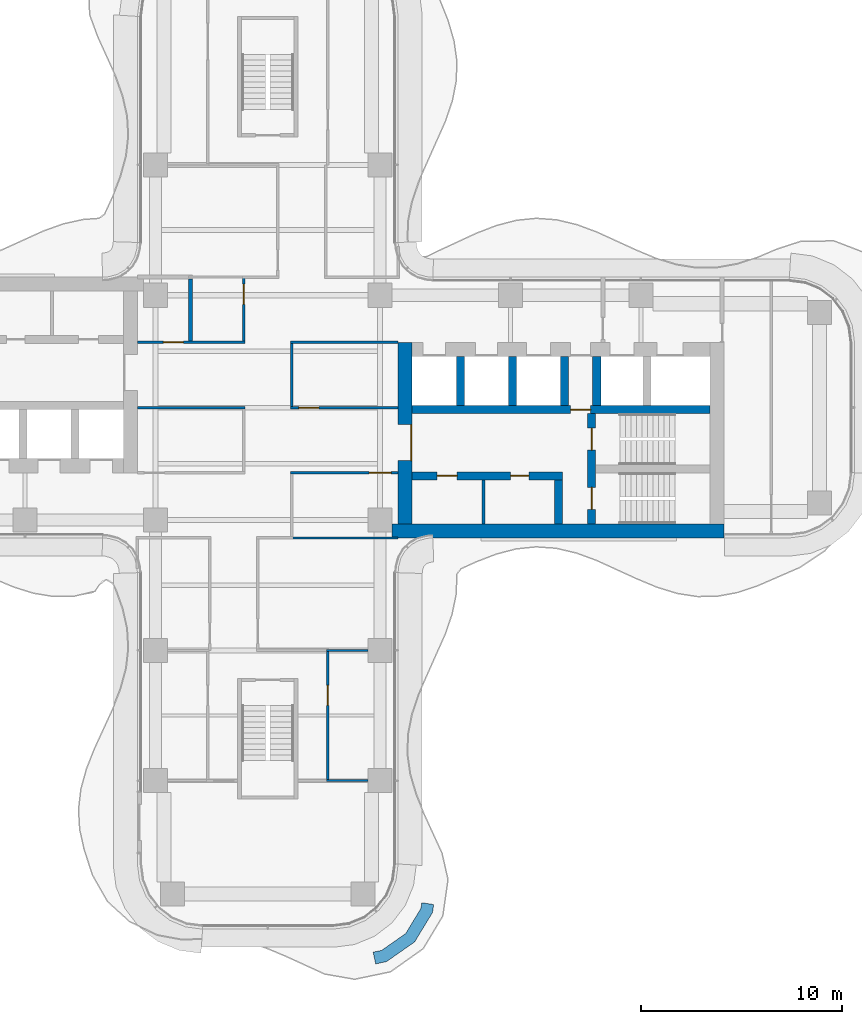
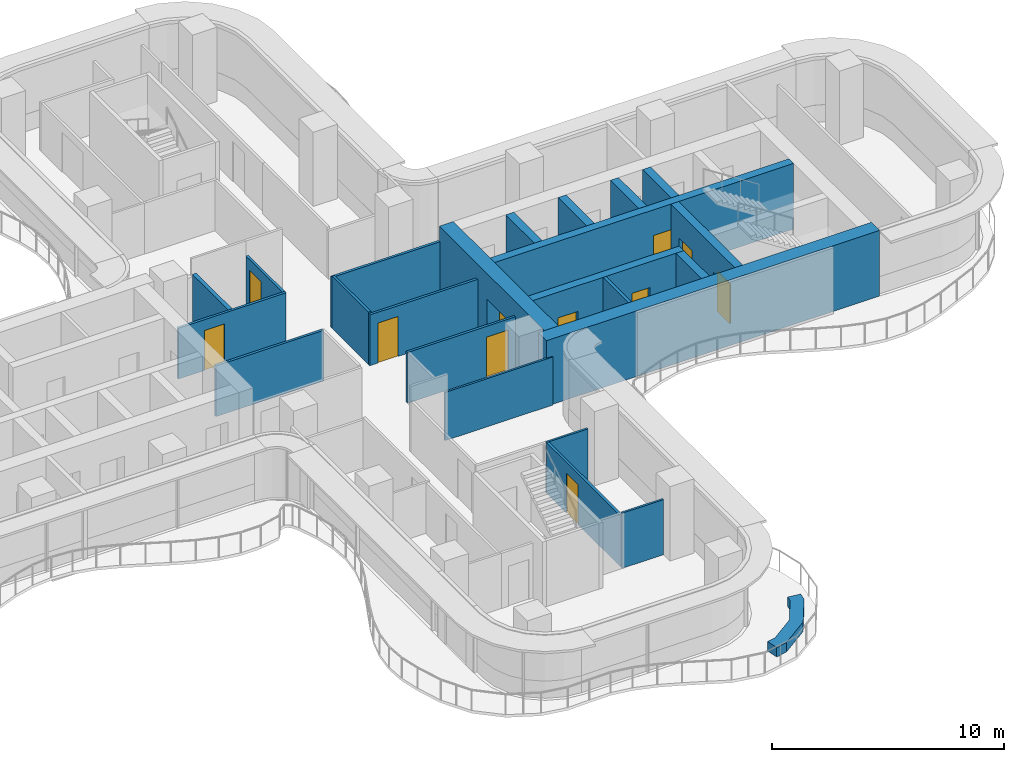
# One storey, part 13 of 17: 24 walls, 11 doors, 11 openings.
"""IFC4 building model written with IfcOpenShell, lengths in metres."""

from ifc_helpers import new_model, si_unit, direction, frame, frame_2d, origin, place, context, subcontext, project, spatial, polyline, rectangle, outline, extrude, source, transform, mapped, material, layer, layer_set, type_object, element, fill, save


model = new_model("IFC4")

# Units and contexts
model_context = context("Model", 3, precision=1e-05, world=origin(), true_north=direction((0.0, 1.0)))
body_context = subcontext(model_context, "Body", "Model", "MODEL_VIEW")
ifc_project = project(units=[si_unit("LENGTHUNIT", "METRE"), si_unit("AREAUNIT", "SQUARE_METRE"), si_unit("VOLUMEUNIT", "CUBIC_METRE"), si_unit("PLANEANGLEUNIT", "RADIAN"), si_unit("MASSUNIT", "GRAM", prefix="KILO")], contexts=[model_context])

# Site, building, storey
site_placement = place(None, origin())
site = spatial("IfcSite", under=ifc_project, at=site_placement, CompositionType="ELEMENT")
building_placement = place(site_placement, origin())
building = spatial("IfcBuilding", under=site, at=building_placement, Name="Trellis Farm Tower", CompositionType="ELEMENT")
storey_placement = place(building_placement, frame((0.0, 0.0, 208.800048828125)))
storey = spatial("IfcBuildingStorey", under=building, at=storey_placement, Name="L46", CompositionType="ELEMENT", Elevation=208.800048828125)

# Walls
ifc_material_1 = material(Name="Lightweight blockwork, plastered", Category="masonry")
ifc_layer_1 = layer(ifc_material_1, 0.199951171875)
ifc_layer_set_1 = layer_set([ifc_layer_1], Name="BLOCK WALL 200 EI 120")
wall_type_1 = type_object("IfcWallType", Name="BLOCK WALL 200 EI 120", PredefinedType="PARTITIONING", material=ifc_layer_set_1)
wall_1_placement = place(storey_placement, frame((-3.85009765625, 3.3125, 0.0), z_axis=(0.0, 0.0, 1.0), x_axis=(0.0, 1.0, 0.0)))
element("IfcWall", 1, at=wall_1_placement, inside=storey, type_object=wall_type_1, Name="Partition PW3", PredefinedType="PARTITIONING", context=body_context, shape_type="SweptSolid", body=[
    extrude(rectangle(XDim=3.08740234375, YDim=0.199951171875, at=frame_2d((1.543701171875, 0.0))), origin(), (0.0, 0.0, 1.0), 2.667724609375),
])
ifc_material_2 = material(Name="Plasterboard on steel studs", Category="steel")
ifc_layer_2 = layer(ifc_material_2, 0.10009765625)
ifc_layer_set_2 = layer_set([ifc_layer_2], Name="PARTITION 100 STUD EI 30")
wall_type_2 = type_object("IfcWallType", Name="PARTITION 100 STUD EI 30", PredefinedType="PARTITIONING", material=ifc_layer_set_2)
wall_2_placement = place(storey_placement, frame((1.137451171875, -6.5, 0.0), z_axis=(0.0, 0.0, 1.0), x_axis=(1.0, 0.0, 0.0)))
element("IfcWall", 2, at=wall_2_placement, inside=storey, type_object=wall_type_2, Name="Partition PW2", PredefinedType="PARTITIONING", context=body_context, shape_type="SweptSolid", body=[
    extrude(rectangle(XDim=5.362548828125, YDim=0.10009765625, at=frame_2d((2.68115234375, 0.0))), origin(), (0.0, 0.0, 1.0), 2.530029296875),
])
ifc_material_3 = material(Name="Sandstone faced masonry planter", Category="masonry")
ifc_layer_3 = layer(ifc_material_3, 0.60009765625)
ifc_layer_set_3 = layer_set([ifc_layer_3], Name="PLANTER BED 600")
wall_type_3 = type_object("IfcWallType", Name="PLANTER BED 600", PredefinedType="USERDEFINED", material=ifc_layer_set_3)
wall_3_placement = place(storey_placement, origin())
element("IfcWall", 3, at=wall_3_placement, inside=storey, type_object=wall_type_3, Name="PLANTER bed", ObjectType="PLANTER", PredefinedType="USERDEFINED", context=body_context, shape_type="SweptSolid", body=[
    extrude(outline(polyline([(8.211181640625, -25.17529296875), (7.32275390625, -26.63671875), (5.92138671875, -27.61962890625), (5.377197265625, -27.732177734375), (5.255615234375, -27.14453125), (5.678466796875, -27.05712890625), (6.875244140625, -26.2177734375), (7.635986328125, -24.966796875), (7.6787109375, -24.6826171875), (8.27197265625, -24.771728515625), (8.211181640625, -25.17529296875)])), origin(), (0.0, 0.0, 1.0), 0.5),
])

# Wall, opening, door
ifc_material_4 = material(Name="Concrete C70/85", Category="concrete")
ifc_layer_4 = layer(ifc_material_4, 0.699951171875)
ifc_layer_set_4 = layer_set([ifc_layer_4], Name="CORE OUTER WALL 700 CONCRETE C70/85")
wall_type_4 = type_object("IfcWallType", Name="CORE OUTER WALL 700 CONCRETE C70/85", PredefinedType="SHEAR", material=ifc_layer_set_4)
shared_shape_1 = source(origin(), body_context, "Body", "SweptSolid", [
    extrude(rectangle(XDim=9.050048828125, YDim=0.699951171875, at=frame_2d((4.52490234375, 0.0))), origin(), (0.0, 0.0, 1.0), 3.449951171875),
])
wall_4_placement = place(storey_placement, frame((6.85009765625, -5.800048828125, 0.0), z_axis=(0.0, 0.0, 1.0), x_axis=(0.0, 1.0, 0.0)))
wall_4 = element("IfcWall", 4, at=wall_4_placement, inside=storey, type_object=wall_type_4, Name="Core wall", PredefinedType="SHEAR", context=body_context, shape_type="MappedRepresentation", body=[
    mapped(shared_shape_1, transform((0.0, 0.0, 0.0))),
])
shared_shape_2 = source(origin(), body_context, "Body", "SweptSolid", [
    extrude(rectangle(XDim=1.800048828125, YDim=2.10009765625, at=frame_2d((0.89990234375, 1.050048828125))), frame((0.0, 0.360107421875, 0.0), z_axis=(0.0, -1.0, 0.0), x_axis=(1.0, 0.0, 0.0)), (0.0, 0.0, 1.0), 0.72021484375),
])
opening_1_placement = place(wall_4_placement, frame((3.14990234375, 0.0, 0.0)))
opening_1 = element("IfcOpeningElement", 5, at=opening_1_placement, cuts=wall_4, Name="Opening DC1", PredefinedType="OPENING", context=body_context, shape_type="MappedRepresentation", body=[
    mapped(shared_shape_2, transform((0.0, 0.0, 0.0))),
])
ifc_material_5 = material(Name="Steel", Category="steel")
door_type_1 = type_object("IfcDoorType", Name="CORE FIRE DOOR DOUBLE 1800 X 2100", OperationType="DOUBLE_DOOR_SINGLE_SWING", PredefinedType="DOOR", material=ifc_material_5)
shared_shape_3 = source(origin(), body_context, "Body", "SweptSolid", [
    extrude(rectangle(XDim=1.800048828125, YDim=2.10009765625, at=frame_2d((0.89990234375, 1.050048828125))), frame((0.0, -0.27490234375, 0.0), z_axis=(0.0, -1.0, 0.0), x_axis=(1.0, 0.0, 0.0)), (0.0, 0.0, 1.0), 0.050048828125),
])
door_1_placement = place(opening_1_placement, origin())
door_1 = element("IfcDoor", 6, at=door_1_placement, inside=storey, type_object=door_type_1, Name="Core door", OperationType="DOUBLE_DOOR_SINGLE_SWING", OverallHeight=2.10009765625, OverallWidth=1.800048828125, PredefinedType="DOOR", context=body_context, shape_type="MappedRepresentation", body=[
    mapped(shared_shape_3, transform((0.0, 0.0, 0.0))),
])
fill(opening_1, door_1)

# Walls
ifc_layer_5 = layer(ifc_material_4, 0.39990234375)
ifc_layer_set_5 = layer_set([ifc_layer_5], Name="CORE INNER WALL 400 CONCRETE C70/85")
wall_type_5 = type_object("IfcWallType", Name="CORE INNER WALL 400 CONCRETE C70/85", PredefinedType="SHEAR", material=ifc_layer_set_5)
shared_shape_4 = source(origin(), body_context, "Body", "SweptSolid", [
    extrude(rectangle(XDim=2.449951171875, YDim=0.39990234375, at=frame_2d((1.22509765625, 0.0))), origin(), (0.0, 0.0, 1.0), 3.449951171875),
])
for number, where, z_axis, x_axis, name in (
    (7, (9.60009765625, 0.10009765625, 0.0), (0.0, 0.0, 1.0), (0.0, 1.0, 0.0), "Core wall"),
    (8, (12.199951171875, 0.10009765625, 0.0), (0.0, 0.0, 1.0), (0.0, 1.0, 0.0), "Core wall"),
    (9, (14.800048828125, 0.10009765625, 0.0), (0.0, 0.0, 1.0), (0.0, 1.0, 0.0), "Core wall"),
    (10, (16.39990234375, 0.10009765625, 0.0), (0.0, 0.0, 1.0), (0.0, 1.0, 0.0), "Core wall"),
):
    element("IfcWall", number, at=place(storey_placement, frame(where, z_axis=z_axis, x_axis=x_axis)), inside=storey, type_object=wall_type_5, Name=name, PredefinedType="SHEAR", context=body_context, shape_type="MappedRepresentation", body=[
        mapped(shared_shape_4, transform((0.0, 0.0, 0.0))),
    ])
shared_shape_5 = source(origin(), body_context, "Body", "SweptSolid", [
    extrude(rectangle(XDim=16.550048828125, YDim=0.699951171875, at=frame_2d((8.27490234375, 0.0))), origin(), (0.0, 0.0, 1.0), 3.449951171875),
])
wall_5_placement = place(storey_placement, frame((6.199951171875, -6.14990234375, 0.0), z_axis=(0.0, 0.0, 1.0), x_axis=(1.0, 0.0, 0.0)))
element("IfcWall", 11, at=wall_5_placement, inside=storey, type_object=wall_type_4, Name="Core wall", PredefinedType="SHEAR", context=body_context, shape_type="MappedRepresentation", body=[
    mapped(shared_shape_5, transform((0.0, 0.0, 0.0))),
])

# Wall, openings, doors
shared_shape_6 = source(origin(), body_context, "Body", "SweptSolid", [
    extrude(rectangle(XDim=7.5, YDim=0.39990234375, at=frame_2d((3.75, 0.0))), origin(), (0.0, 0.0, 1.0), 3.449951171875),
])
wall_6_placement = place(storey_placement, frame((7.199951171875, -3.39990234375, 0.0), z_axis=(0.0, 0.0, 1.0), x_axis=(1.0, 0.0, 0.0)))
wall_6 = element("IfcWall", 12, at=wall_6_placement, inside=storey, type_object=wall_type_5, Name="Core wall", PredefinedType="SHEAR", context=body_context, shape_type="MappedRepresentation", body=[
    mapped(shared_shape_6, transform((0.0, 0.0, 0.0))),
])
shared_shape_7 = source(origin(), body_context, "Body", "SweptSolid", [
    extrude(rectangle(XDim=1.0, YDim=2.10009765625, at=frame_2d((0.5, 1.050048828125))), frame((0.0, 0.2099609375, 0.0), z_axis=(0.0, -1.0, 0.0), x_axis=(1.0, 0.0, 0.0)), (0.0, 0.0, 1.0), 0.419921875),
])
opening_2_placement = place(wall_6_placement, frame((1.237548828125, 0.0, 0.0)))
opening_2 = element("IfcOpeningElement", 13, at=opening_2_placement, cuts=wall_6, Name="Opening DC55", PredefinedType="OPENING", context=body_context, shape_type="MappedRepresentation", body=[
    mapped(shared_shape_7, transform((0.0, 0.0, 0.0))),
])
shared_shape_8 = source(origin(), body_context, "Body", "SweptSolid", [
    extrude(rectangle(XDim=0.89990234375, YDim=2.10009765625, at=frame_2d((0.449951171875, 1.050048828125))), frame((0.0, 0.2099609375, 0.0), z_axis=(0.0, -1.0, 0.0), x_axis=(1.0, 0.0, 0.0)), (0.0, 0.0, 1.0), 0.419921875),
])
opening_3_placement = place(wall_6_placement, frame((4.91259765625, 0.0, 0.0)))
opening_3 = element("IfcOpeningElement", 14, at=opening_3_placement, cuts=wall_6, Name="Opening DC60", PredefinedType="OPENING", context=body_context, shape_type="MappedRepresentation", body=[
    mapped(shared_shape_8, transform((0.0, 0.0, 0.0))),
])
door_type_2 = type_object("IfcDoorType", Name="CORE FIRE DOOR 1000 X 2100", OperationType="NOTDEFINED", PredefinedType="DOOR", material=ifc_material_5)
shared_shape_9 = source(origin(), body_context, "Body", "SweptSolid", [
    extrude(rectangle(XDim=1.0, YDim=2.10009765625, at=frame_2d((0.5, 1.050048828125))), frame((0.0, 0.02490234375, 0.0), z_axis=(0.0, -1.0, 0.0), x_axis=(1.0, 0.0, 0.0)), (0.0, 0.0, 1.0), 0.050048828125),
])
door_2_placement = place(opening_2_placement, origin())
door_2 = element("IfcDoor", 15, at=door_2_placement, inside=storey, type_object=door_type_2, Name="Core door", OperationType="SINGLE_SWING_LEFT", OverallHeight=2.10009765625, OverallWidth=1.0, PredefinedType="DOOR", context=body_context, shape_type="MappedRepresentation", body=[
    mapped(shared_shape_9, transform((0.0, 0.0, 0.0))),
])
fill(opening_2, door_2)
door_type_3 = type_object("IfcDoorType", Name="CORE FIRE DOOR 900 X 2100", OperationType="NOTDEFINED", PredefinedType="DOOR", material=ifc_material_5)
shared_shape_10 = source(origin(), body_context, "Body", "SweptSolid", [
    extrude(rectangle(XDim=0.89990234375, YDim=2.10009765625, at=frame_2d((0.449951171875, 1.050048828125))), frame((0.0, 0.02490234375, 0.0), z_axis=(0.0, -1.0, 0.0), x_axis=(1.0, 0.0, 0.0)), (0.0, 0.0, 1.0), 0.050048828125),
])
door_3_placement = place(opening_3_placement, origin())
door_3 = element("IfcDoor", 16, at=door_3_placement, inside=storey, type_object=door_type_3, Name="Core door", OperationType="SINGLE_SWING_RIGHT", OverallHeight=2.10009765625, OverallWidth=0.89990234375, PredefinedType="DOOR", context=body_context, shape_type="MappedRepresentation", body=[
    mapped(shared_shape_10, transform((0.0, 0.0, 0.0))),
])
fill(opening_3, door_3)

# Wall, opening, door
shared_shape_11 = source(origin(), body_context, "Body", "SweptSolid", [
    extrude(rectangle(XDim=14.85009765625, YDim=0.39990234375, at=frame_2d((7.425048828125, 0.0))), origin(), (0.0, 0.0, 1.0), 3.449951171875),
])
wall_7_placement = place(storey_placement, frame((7.199951171875, -0.10009765625, 0.0), z_axis=(0.0, 0.0, 1.0), x_axis=(1.0, 0.0, 0.0)))
wall_7 = element("IfcWall", 17, at=wall_7_placement, inside=storey, type_object=wall_type_5, Name="Core wall", PredefinedType="SHEAR", context=body_context, shape_type="MappedRepresentation", body=[
    mapped(shared_shape_11, transform((0.0, 0.0, 0.0))),
])
opening_4_placement = place(wall_7_placement, frame((7.89990234375, 0.0, 0.0)))
opening_4 = element("IfcOpeningElement", 18, at=opening_4_placement, cuts=wall_7, Name="Opening DC5", PredefinedType="OPENING", context=body_context, shape_type="MappedRepresentation", body=[
    mapped(shared_shape_7, transform((0.0, 0.0, 0.0))),
])
door_4_placement = place(opening_4_placement, origin())
door_4 = element("IfcDoor", 19, at=door_4_placement, inside=storey, type_object=door_type_2, Name="Core door", OperationType="SINGLE_SWING_RIGHT", OverallHeight=2.10009765625, OverallWidth=1.0, PredefinedType="DOOR", context=body_context, shape_type="MappedRepresentation", body=[
    mapped(shared_shape_9, transform((0.0, 0.0, 0.0))),
])
fill(opening_4, door_4)

# Wall, openings, doors
shared_shape_12 = source(origin(), body_context, "Body", "SweptSolid", [
    extrude(rectangle(XDim=5.5, YDim=0.39990234375, at=frame_2d((2.75, 0.0))), origin(), (0.0, 0.0, 1.0), 3.449951171875),
])
wall_8_placement = place(storey_placement, frame((16.14990234375, -5.800048828125, 0.0), z_axis=(0.0, 0.0, 1.0), x_axis=(0.0, 1.0, 0.0)))
wall_8 = element("IfcWall", 20, at=wall_8_placement, inside=storey, type_object=wall_type_5, Name="Core wall", PredefinedType="SHEAR", context=body_context, shape_type="MappedRepresentation", body=[
    mapped(shared_shape_12, transform((0.0, 0.0, 0.0))),
])
shared_shape_13 = source(origin(), body_context, "Body", "SweptSolid", [
    extrude(rectangle(XDim=1.10009765625, YDim=2.10009765625, at=frame_2d((0.550048828125, 1.050048828125))), frame((0.0, 0.2099609375, 0.0), z_axis=(0.0, -1.0, 0.0), x_axis=(1.0, 0.0, 0.0)), (0.0, 0.0, 1.0), 0.419921875),
])
opening_5_placement = place(wall_8_placement, frame((0.72509765625, 0.0, 0.0)))
opening_5 = element("IfcOpeningElement", 21, at=opening_5_placement, cuts=wall_8, Name="Opening DC2", PredefinedType="OPENING", context=body_context, shape_type="MappedRepresentation", body=[
    mapped(shared_shape_13, transform((0.0, 0.0, 0.0))),
])
opening_6_placement = place(wall_8_placement, frame((3.675048828125, 0.0, 0.0)))
opening_6 = element("IfcOpeningElement", 22, at=opening_6_placement, cuts=wall_8, Name="Opening DC3", PredefinedType="OPENING", context=body_context, shape_type="MappedRepresentation", body=[
    mapped(shared_shape_13, transform((0.0, 0.0, 0.0))),
])
door_type_4 = type_object("IfcDoorType", Name="CORE FIRE DOOR 1100 X 2100", OperationType="NOTDEFINED", PredefinedType="DOOR", material=ifc_material_5)
shared_shape_14 = source(origin(), body_context, "Body", "SweptSolid", [
    extrude(rectangle(XDim=1.10009765625, YDim=2.10009765625, at=frame_2d((0.550048828125, 1.050048828125))), frame((0.0, 0.02490234375, 0.0), z_axis=(0.0, -1.0, 0.0), x_axis=(1.0, 0.0, 0.0)), (0.0, 0.0, 1.0), 0.050048828125),
])
door_5_placement = place(opening_5_placement, origin())
door_5 = element("IfcDoor", 23, at=door_5_placement, inside=storey, type_object=door_type_4, Name="Core door", OperationType="SINGLE_SWING_RIGHT", OverallHeight=2.10009765625, OverallWidth=1.10009765625, PredefinedType="DOOR", context=body_context, shape_type="MappedRepresentation", body=[
    mapped(shared_shape_14, transform((0.0, 0.0, 0.0))),
])
fill(opening_5, door_5)
door_6_placement = place(opening_6_placement, origin())
door_6 = element("IfcDoor", 24, at=door_6_placement, inside=storey, type_object=door_type_4, Name="Core door", OperationType="SINGLE_SWING_LEFT", OverallHeight=2.10009765625, OverallWidth=1.10009765625, PredefinedType="DOOR", context=body_context, shape_type="MappedRepresentation", body=[
    mapped(shared_shape_14, transform((0.0, 0.0, 0.0))),
])
fill(opening_6, door_6)

# Walls
shared_shape_15 = source(origin(), body_context, "Body", "SweptSolid", [
    extrude(rectangle(XDim=2.199951171875, YDim=0.39990234375, at=frame_2d((1.10009765625, 0.0))), origin(), (0.0, 0.0, 1.0), 3.449951171875),
])
wall_9_placement = place(storey_placement, frame((14.5, -5.800048828125, 0.0), z_axis=(0.0, 0.0, 1.0), x_axis=(0.0, 1.0, 0.0)))
element("IfcWall", 25, at=wall_9_placement, inside=storey, type_object=wall_type_5, Name="Core wall", PredefinedType="SHEAR", context=body_context, shape_type="MappedRepresentation", body=[
    mapped(shared_shape_15, transform((0.0, 0.0, 0.0))),
])
ifc_material_6 = material(Name="Masonry blockwork", Category="masonry")
ifc_layer_6 = layer(ifc_material_6, 0.14990234375)
ifc_layer_set_6 = layer_set([ifc_layer_6], Name="CORE PARTITION 150 BLOCKWORK")
wall_type_6 = type_object("IfcWallType", Name="CORE PARTITION 150 BLOCKWORK", PredefinedType="PARTITIONING", material=ifc_layer_set_6)
shared_shape_16 = source(origin(), body_context, "Body", "SweptSolid", [
    extrude(rectangle(XDim=2.199951171875, YDim=0.14990234375, at=frame_2d((1.10009765625, 0.0))), origin(), (0.0, 0.0, 1.0), 3.449951171875),
])
wall_10_placement = place(storey_placement, frame((10.75, -5.800048828125, 0.0), z_axis=(0.0, 0.0, 1.0), x_axis=(0.0, 1.0, 0.0)))
element("IfcWall", 26, at=wall_10_placement, inside=storey, type_object=wall_type_6, Name="Core room partition", PredefinedType="PARTITIONING", context=body_context, shape_type="MappedRepresentation", body=[
    mapped(shared_shape_16, transform((0.0, 0.0, 0.0))),
])

# Wall, opening, door
ifc_material_7 = material(Name="Plasterboard on steel studs, mineral wool", Category="steel")
ifc_layer_7 = layer(ifc_material_7, 0.125)
ifc_layer_set_7 = layer_set([ifc_layer_7], Name="PARTITION 125 STUD EI 60")
wall_type_7 = type_object("IfcWallType", Name="PARTITION 125 STUD EI 60", PredefinedType="PARTITIONING", material=ifc_layer_set_7)
shared_shape_17 = source(origin(), body_context, "Body", "SweptSolid", [
    extrude(rectangle(XDim=3.137451171875, YDim=0.125, at=frame_2d((1.56884765625, 0.0))), origin(), (0.0, 0.0, 1.0), 2.667724609375),
])
wall_11_placement = place(storey_placement, frame((-1.199951171875, 6.449951171875, 0.0), z_axis=(0.0, 0.0, 1.0), x_axis=(0.0, -1.0, 0.0)))
wall_11 = element("IfcWall", 27, at=wall_11_placement, inside=storey, type_object=wall_type_7, Name="Partition PW1", PredefinedType="PARTITIONING", context=body_context, shape_type="MappedRepresentation", body=[
    mapped(shared_shape_17, transform((0.0, 0.0, 0.0))),
])
shared_shape_18 = source(origin(), body_context, "Body", "SweptSolid", [
    extrude(rectangle(XDim=1.0, YDim=2.10009765625, at=frame_2d((0.5, 1.050048828125))), frame((0.0, 0.072509765625, 0.0), z_axis=(0.0, -1.0, 0.0), x_axis=(1.0, 0.0, 0.0)), (0.0, 0.0, 1.0), 0.14501953125),
])
opening_7_placement = place(wall_11_placement, frame((0.300048828125, 0.0, 0.0)))
opening_7 = element("IfcOpeningElement", 28, at=opening_7_placement, cuts=wall_11, Name="Opening D109", PredefinedType="OPENING", context=body_context, shape_type="MappedRepresentation", body=[
    mapped(shared_shape_18, transform((0.0, 0.0, 0.0))),
])
ifc_material_8 = material(Name="Fire-rated timber door leaf in a hollow metal frame", Category="wood")
door_type_5 = type_object("IfcDoorType", Name="DOOR 1000x2100 FD30S", OperationType="NOTDEFINED", PredefinedType="DOOR", material=ifc_material_8)
door_7_placement = place(opening_7_placement, origin())
door_7 = element("IfcDoor", 29, at=door_7_placement, inside=storey, type_object=door_type_5, Name="Door D109", OperationType="SINGLE_SWING_LEFT", OverallHeight=2.10009765625, OverallWidth=1.0, PredefinedType="DOOR", context=body_context, shape_type="MappedRepresentation", body=[
    mapped(shared_shape_9, transform((0.0, 0.0, 0.0))),
])
fill(opening_7, door_7)

# Wall
shared_shape_19 = source(origin(), body_context, "Body", "SweptSolid", [
    extrude(rectangle(XDim=3.125, YDim=0.125, at=frame_2d((1.5625, 0.0))), origin(), (0.0, 0.0, 1.0), 2.746337890625),
])
wall_12_placement = place(storey_placement, frame((1.199951171875, 3.1875, 0.0), z_axis=(0.0, 0.0, 1.0), x_axis=(0.0, -1.0, 0.0)))
element("IfcWall", 30, at=wall_12_placement, inside=storey, type_object=wall_type_7, Name="Partition PW1", PredefinedType="PARTITIONING", context=body_context, shape_type="MappedRepresentation", body=[
    mapped(shared_shape_19, transform((0.0, 0.0, 0.0))),
])

# Wall, opening, door
shared_shape_20 = source(origin(), body_context, "Body", "SweptSolid", [
    extrude(rectangle(XDim=6.400146484375, YDim=0.125, at=frame_2d((3.2001953125, 0.0))), origin(), (0.0, 0.0, 1.0), 2.667724609375),
])
wall_13_placement = place(storey_placement, frame((3.0, -12.14990234375, 0.0), z_axis=(0.0, 0.0, 1.0), x_axis=(0.0, -1.0, 0.0)))
wall_13 = element("IfcWall", 31, at=wall_13_placement, inside=storey, type_object=wall_type_7, Name="Partition PW1", PredefinedType="PARTITIONING", context=body_context, shape_type="MappedRepresentation", body=[
    mapped(shared_shape_20, transform((0.0, 0.0, 0.0))),
])
opening_8_placement = place(wall_13_placement, frame((1.699951171875, 0.0, 0.0)))
opening_8 = element("IfcOpeningElement", 32, at=opening_8_placement, cuts=wall_13, Name="Opening D103", PredefinedType="OPENING", context=body_context, shape_type="MappedRepresentation", body=[
    mapped(shared_shape_18, transform((0.0, 0.0, 0.0))),
])
door_8_placement = place(opening_8_placement, origin())
door_8 = element("IfcDoor", 33, at=door_8_placement, inside=storey, type_object=door_type_5, Name="Door D103", OperationType="SINGLE_SWING_LEFT", OverallHeight=2.10009765625, OverallWidth=1.0, PredefinedType="DOOR", context=body_context, shape_type="MappedRepresentation", body=[
    mapped(shared_shape_9, transform((0.0, 0.0, 0.0))),
])
fill(opening_8, door_8)

# Walls
shared_shape_21 = source(origin(), body_context, "Body", "SweptSolid", [
    extrude(rectangle(XDim=2.0625, YDim=0.10009765625, at=frame_2d((1.03125, 0.0))), origin(), (0.0, 0.0, 1.0), 2.89697265625),
])
wall_14_placement = place(storey_placement, frame((2.9375, -18.60009765625, 0.0), z_axis=(0.0, 0.0, 1.0), x_axis=(1.0, 0.0, 0.0)))
element("IfcWall", 34, at=wall_14_placement, inside=storey, type_object=wall_type_2, Name="Partition PW2", PredefinedType="PARTITIONING", context=body_context, shape_type="MappedRepresentation", body=[
    mapped(shared_shape_21, transform((0.0, 0.0, 0.0))),
])
shared_shape_22 = source(origin(), body_context, "Body", "SweptSolid", [
    extrude(rectangle(XDim=2.0625, YDim=0.10009765625, at=frame_2d((1.03125, 0.0))), origin(), (0.0, 0.0, 1.0), 2.667724609375),
])
wall_15_placement = place(storey_placement, frame((2.9375, -12.10009765625, 0.0), z_axis=(0.0, 0.0, 1.0), x_axis=(1.0, 0.0, 0.0)))
element("IfcWall", 35, at=wall_15_placement, inside=storey, type_object=wall_type_2, Name="Partition PW2", PredefinedType="PARTITIONING", context=body_context, shape_type="MappedRepresentation", body=[
    mapped(shared_shape_22, transform((0.0, 0.0, 0.0))),
])

# Wall, opening, door
shared_shape_23 = source(origin(), body_context, "Body", "SweptSolid", [
    extrude(rectangle(XDim=5.362548828125, YDim=0.125, at=frame_2d((2.68115234375, 0.0))), origin(), (0.0, 0.0, 1.0), 2.667724609375),
])
wall_16_placement = place(storey_placement, frame((6.5, -3.25, 0.0), z_axis=(0.0, 0.0, 1.0), x_axis=(-1.0, 0.0, 0.0)))
wall_16 = element("IfcWall", 36, at=wall_16_placement, inside=storey, type_object=wall_type_7, Name="Partition PW1", PredefinedType="PARTITIONING", context=body_context, shape_type="MappedRepresentation", body=[
    mapped(shared_shape_23, transform((0.0, 0.0, 0.0))),
])
shared_shape_24 = source(origin(), body_context, "Body", "SweptSolid", [
    extrude(rectangle(XDim=1.10009765625, YDim=2.10009765625, at=frame_2d((0.550048828125, 1.050048828125))), frame((0.0, 0.072509765625, 0.0), z_axis=(0.0, -1.0, 0.0), x_axis=(1.0, 0.0, 0.0)), (0.0, 0.0, 1.0), 0.14501953125),
])
opening_9_placement = place(wall_16_placement, frame((0.35009765625, 0.0, 0.0)))
opening_9 = element("IfcOpeningElement", 37, at=opening_9_placement, cuts=wall_16, Name="Opening D501", PredefinedType="OPENING", context=body_context, shape_type="MappedRepresentation", body=[
    mapped(shared_shape_24, transform((0.0, 0.0, 0.0))),
])
door_type_6 = type_object("IfcDoorType", Name="DOOR 1100x2100 FD30S", OperationType="NOTDEFINED", PredefinedType="DOOR", material=ifc_material_8)
door_9_placement = place(opening_9_placement, origin())
door_9 = element("IfcDoor", 38, at=door_9_placement, inside=storey, type_object=door_type_6, Name="Door D501", OperationType="SINGLE_SWING_LEFT", OverallHeight=2.10009765625, OverallWidth=1.10009765625, PredefinedType="DOOR", context=body_context, shape_type="MappedRepresentation", body=[
    mapped(shared_shape_14, transform((0.0, 0.0, 0.0))),
])
fill(opening_9, door_9)

# Wall
wall_17_placement = place(storey_placement, frame((-1.137451171875, 0.0, 0.0), z_axis=(0.0, 0.0, 1.0), x_axis=(-1.0, 0.0, 0.0)))
element("IfcWall", 39, at=wall_17_placement, inside=storey, type_object=wall_type_7, Name="Partition PW1", PredefinedType="PARTITIONING", context=body_context, shape_type="MappedRepresentation", body=[
    mapped(shared_shape_23, transform((0.0, 0.0, 0.0))),
])

# Wall, opening, door
wall_18_placement = place(storey_placement, frame((6.5, 0.0, 0.0), z_axis=(0.0, 0.0, 1.0), x_axis=(-1.0, 0.0, 0.0)))
wall_18 = element("IfcWall", 40, at=wall_18_placement, inside=storey, type_object=wall_type_7, Name="Partition PW1", PredefinedType="PARTITIONING", context=body_context, shape_type="MappedRepresentation", body=[
    mapped(shared_shape_23, transform((0.0, 0.0, 0.0))),
])
opening_10_placement = place(wall_18_placement, frame((3.949951171875, 0.0, 0.0)))
opening_10 = element("IfcOpeningElement", 41, at=opening_10_placement, cuts=wall_18, Name="Opening D107", PredefinedType="OPENING", context=body_context, shape_type="MappedRepresentation", body=[
    mapped(shared_shape_18, transform((0.0, 0.0, 0.0))),
])
door_10_placement = place(opening_10_placement, origin())
door_10 = element("IfcDoor", 42, at=door_10_placement, inside=storey, type_object=door_type_5, Name="Door D107", OperationType="SINGLE_SWING_RIGHT", OverallHeight=2.10009765625, OverallWidth=1.0, PredefinedType="DOOR", context=body_context, shape_type="MappedRepresentation", body=[
    mapped(shared_shape_9, transform((0.0, 0.0, 0.0))),
])
fill(opening_10, door_10)

wall_19_placement = place(storey_placement, frame((-6.5, 3.25, 0.0), z_axis=(0.0, 0.0, 1.0), x_axis=(1.0, 0.0, 0.0)))
wall_19 = element("IfcWall", 43, at=wall_19_placement, inside=storey, type_object=wall_type_7, Name="Partition PW1", PredefinedType="PARTITIONING", context=body_context, shape_type="MappedRepresentation", body=[
    mapped(shared_shape_23, transform((0.0, 0.0, 0.0))),
])
opening_11_placement = place(wall_19_placement, frame((1.300048828125, 0.0, 0.0)))
opening_11 = element("IfcOpeningElement", 44, at=opening_11_placement, cuts=wall_19, Name="Opening D301", PredefinedType="OPENING", context=body_context, shape_type="MappedRepresentation", body=[
    mapped(shared_shape_18, transform((0.0, 0.0, 0.0))),
])
door_type_7 = type_object("IfcDoorType", Name="DOOR 1000x2100 FD60", OperationType="NOTDEFINED", PredefinedType="DOOR", material=ifc_material_8)
door_11_placement = place(opening_11_placement, origin())
door_11 = element("IfcDoor", 45, at=door_11_placement, inside=storey, type_object=door_type_7, Name="Door D301", OperationType="SINGLE_SWING_RIGHT", OverallHeight=2.10009765625, OverallWidth=1.0, PredefinedType="DOOR", context=body_context, shape_type="MappedRepresentation", body=[
    mapped(shared_shape_9, transform((0.0, 0.0, 0.0))),
])
fill(opening_11, door_11)

# Wall
wall_20_placement = place(storey_placement, frame((1.137451171875, 3.25, 0.0), z_axis=(0.0, 0.0, 1.0), x_axis=(1.0, 0.0, 0.0)))
element("IfcWall", 46, at=wall_20_placement, inside=storey, type_object=wall_type_7, Name="Partition PW1", PredefinedType="PARTITIONING", context=body_context, shape_type="MappedRepresentation", body=[
    mapped(shared_shape_23, transform((0.0, 0.0, 0.0))),
])

save(model, "model.ifc")
